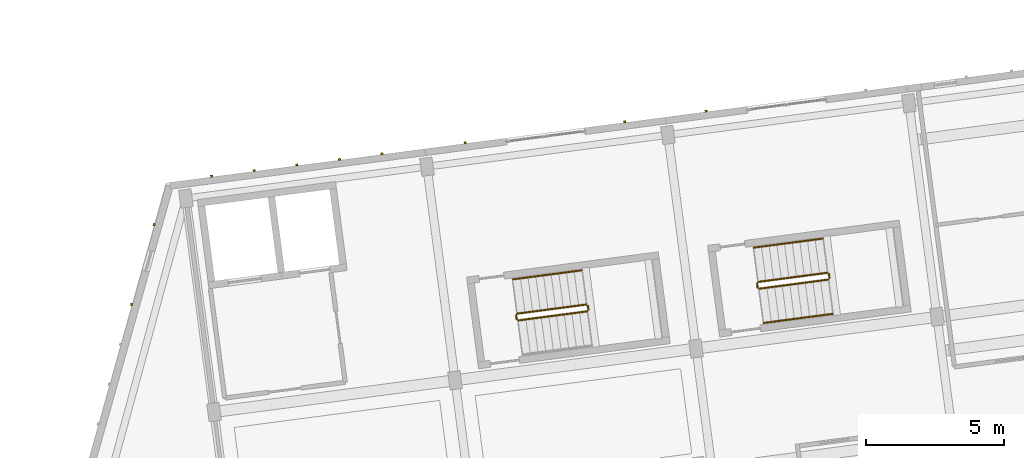
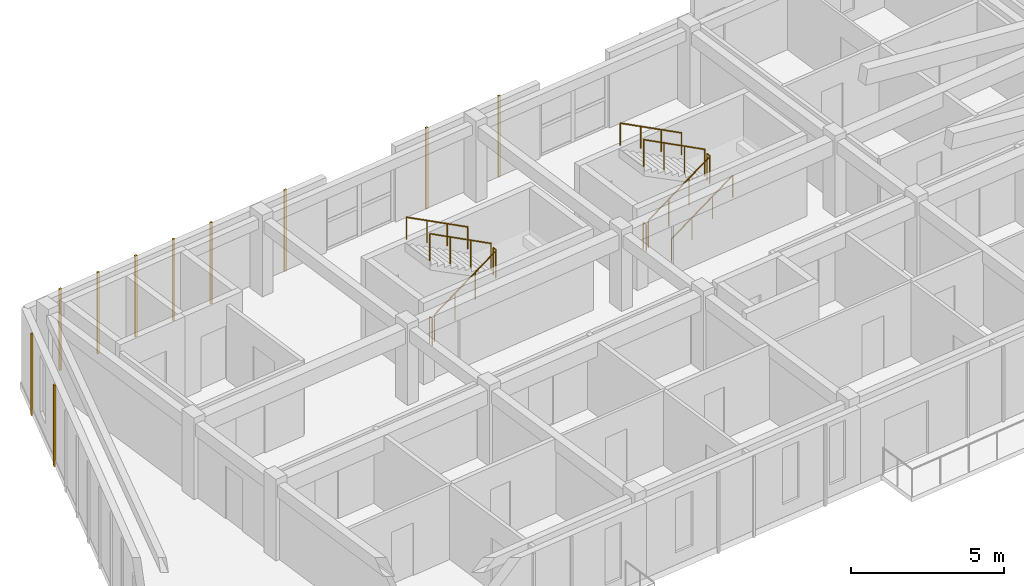
# One storey, part 12 of 16: 11 railings, 10 coverings.
"""IFC4 building model written with IfcOpenShell, lengths in metres."""

from ifc_helpers import new_model, si_unit, direction, frame, origin, origin_2d, place, context, subcontext, project, spatial, rectangle, circle, extrude, material, layer, layer_set, type_object, element, save


model = new_model("IFC4")

# Units and contexts
model_context = context("Model", 3, precision=1e-05, world=origin(), true_north=direction((0.0, 1.0)))
body_context = subcontext(model_context, "Body", "Model", "MODEL_VIEW")
ifc_project = project(units=[si_unit("LENGTHUNIT", "METRE"), si_unit("AREAUNIT", "SQUARE_METRE"), si_unit("VOLUMEUNIT", "CUBIC_METRE"), si_unit("PLANEANGLEUNIT", "RADIAN"), si_unit("MASSUNIT", "GRAM", prefix="KILO")], contexts=[model_context])

# Site, building, storey
site_placement = place(None, origin())
site = spatial("IfcSite", under=ifc_project, at=site_placement, CompositionType="ELEMENT")
building_placement = place(site_placement, origin())
building = spatial("IfcBuilding", under=site, at=building_placement, Name="Kestramere Prow Commons", CompositionType="ELEMENT")
storey_placement = place(building_placement, frame((0.0, 0.0, 40.89990234375)))
storey = spatial("IfcBuildingStorey", under=building, at=storey_placement, Name="L12", CompositionType="ELEMENT", Elevation=40.89990234375)

# Coverings
ifc_material_1 = material(Name="Weathered Zinc-Titanium Standing-Seam Cladding")
ifc_layer = layer(ifc_material_1, 0.074951171875)
ifc_layer_set = layer_set([ifc_layer], Name="Weathered Zinc-Titanium Standing-Seam Cladding")
covering_type = type_object("IfcCoveringType", Name="COV-CLAD-SEAM", PredefinedType="CLADDING", material=ifc_layer_set)
for number, where, z_axis, x_axis, name in (
    (1, (9.521484375, 92.635009765625, -0.25), (0.0, 0.0, 1.0), (0.991444861374, 0.13052619222, 0.0), "EW-A-L12-N-0 Standing-Seam Rib 1"),
    (2, (11.062255859375, 92.837890625, -0.25), (0.0, 0.0, 1.0), (0.991444861374, 0.13052619222, 0.0), "EW-A-L12-N-0 Standing-Seam Rib 2"),
    (3, (12.603271484375, 93.040771484375, -0.25), (0.0, 0.0, 1.0), (0.991444861374, 0.13052619222, 0.0), "EW-A-L12-N-0 Standing-Seam Rib 3"),
    (4, (14.14404296875, 93.243408203125, -0.25), (0.0, 0.0, 1.0), (0.991444861374, 0.13052619222, 0.0), "EW-A-L12-N-0 Standing-Seam Rib 4"),
    (5, (15.684814453125, 93.4462890625, -0.25), (0.0, 0.0, 1.0), (0.991444861374, 0.13052619222, 0.0), "EW-A-L12-N-0 Standing-Seam Rib 5"),
    (6, (18.700439453125, 93.843505859375, -0.25), (0.0, 0.0, 1.0), (0.991444861374, 0.13052619222, 0.0), "EW-A-L12-NP-1-L Standing-Seam Rib 1"),
    (7, (24.4755859375, 94.603759765625, -0.25), (0.0, 0.0, 1.0), (0.991444861374, 0.13052619222, 0.0), "EW-A-L12-NP-1-R Standing-Seam Rib 1"),
    (8, (27.42529296875, 94.991943359375, -0.25), (0.0, 0.0, 1.0), (0.991444861374, 0.13052619222, 0.0), "EW-A-L12-NP-2-L Standing-Seam Rib 1"),
    (9, (6.623291015625, 87.991943359375, -0.25), (0.0, 0.0, 1.0), (0.271159911526, 0.962534312314, 0.0), "EW-A-L12-PRW-N Standing-Seam Rib 10"),
    (10, (7.437255859375, 90.880615234375, -0.25), (0.0, 0.0, 1.0), (0.271159911526, 0.962534312314, 0.0), "EW-A-L12-PRW-N Standing-Seam Rib 12"),
):
    element("IfcCovering", number, at=place(storey_placement, frame(where, z_axis=z_axis, x_axis=x_axis)), inside=storey, type_object=covering_type, Name=name, PredefinedType="CLADDING", context=body_context, shape_type="SweptSolid", body=[
        extrude(rectangle(XDim=0.0849609375, YDim=0.06494140625, at=origin_2d()), origin(), (0.0, 0.0, 1.0), 3.25),
    ])

# Railings
ifc_material_2 = material(Name="Galvanised Steel S275JR", Category="steel")
railing_type_1 = type_object("IfcRailingType", Name="RL-ST-GR-1100", PredefinedType="GUARDRAIL", material=ifc_material_2)
railing_1_placement = place(storey_placement, frame((20.618896484375, 87.411376953125, 0.16259765625)))
element("IfcRailing", 11, at=railing_1_placement, inside=storey, type_object=railing_type_1, Name="L12 ST-A1 stair guard 1", PredefinedType="GUARDRAIL", context=body_context, shape_type="SweptSolid", body=[
    extrude(circle(Radius=0.02392578125, at=origin_2d()), frame((0.0, 0.0, 1.076171875), z_axis=(0.85752303711, 0.112867259233, 0.501911568525), x_axis=(-0.130494608992, 0.991449018873, 0.0)), (0.0, 0.0, 1.0), 2.91357421875),
    extrude(circle(Radius=0.02099609375, at=origin_2d()), origin(), (0.0, 0.0, 1.0), 1.052001953125),
    extrude(circle(Radius=0.02099609375, at=origin_2d()), frame((0.832763671875, 0.109619140625, 0.487548828125)), (0.0, 0.0, 1.0), 1.052001953125),
    extrude(circle(Radius=0.02099609375, at=origin_2d()), frame((1.665771484375, 0.21923828125, 0.974853515625)), (0.0, 0.0, 1.0), 1.052001953125),
    extrude(circle(Radius=0.02099609375, at=origin_2d()), frame((2.49853515625, 0.328857421875, 1.46240234375)), (0.0, 0.0, 1.0), 1.052001953125),
])
railing_2_placement = place(storey_placement, frame((23.160400390625, 87.79638671875, 1.625)))
element("IfcRailing", 12, at=railing_2_placement, inside=storey, type_object=railing_type_1, Name="L12 ST-A1 stair guard 2", PredefinedType="GUARDRAIL", context=body_context, shape_type="SweptSolid", body=[
    extrude(circle(Radius=0.02392578125, at=origin_2d()), frame((0.0, 0.0, 1.076171875), z_axis=(-0.130243938252, 0.991481979941, 0.0), x_axis=(-0.991481979941, -0.130243938252, 0.0)), (0.0, 0.0, 1.0), 0.14990234375),
    extrude(circle(Radius=0.02099609375, at=origin_2d()), origin(), (0.0, 0.0, 1.0), 1.052001953125),
    extrude(circle(Radius=0.02099609375, at=origin_2d()), frame((-0.01953125, 0.148681640625, 0.0)), (0.0, 0.0, 1.0), 1.052001953125),
])
railing_3_placement = place(storey_placement, frame((23.084716796875, 87.988037109375, 1.78759765625)))
element("IfcRailing", 13, at=railing_3_placement, inside=storey, type_object=railing_type_1, Name="L12 ST-A1 stair guard 3", PredefinedType="GUARDRAIL", context=body_context, shape_type="SweptSolid", body=[
    extrude(circle(Radius=0.02392578125, at=origin_2d()), frame((0.0, 0.0, 1.076171875), z_axis=(-0.857500858922, -0.112875369585, 0.501947634608), x_axis=(0.130507144135, -0.991447368916, 0.0)), (0.0, 0.0, 1.0), 2.91357421875),
    extrude(circle(Radius=0.02099609375, at=origin_2d()), origin(), (0.0, 0.0, 1.0), 1.052001953125),
    extrude(circle(Radius=0.02099609375, at=origin_2d()), frame((-0.832763671875, -0.109619140625, 0.487548828125)), (0.0, 0.0, 1.0), 1.052001953125),
    extrude(circle(Radius=0.02099609375, at=origin_2d()), frame((-1.66552734375, -0.21923828125, 0.974853515625)), (0.0, 0.0, 1.0), 1.052001953125),
    extrude(circle(Radius=0.02099609375, at=origin_2d()), frame((-2.498291015625, -0.328857421875, 1.46240234375)), (0.0, 0.0, 1.0), 1.052001953125),
])
railing_4_placement = place(storey_placement, frame((20.56298828125, 87.454345703125, 0.0)))
element("IfcRailing", 14, at=railing_4_placement, inside=storey, type_object=railing_type_1, Name="L12 ST-A1 stair guard 4", PredefinedType="GUARDRAIL", context=body_context, shape_type="SweptSolid", body=[
    extrude(circle(Radius=0.02392578125, at=origin_2d()), frame((0.0, 0.0, 1.076171875), z_axis=(-0.131843859112, 0.99127049629, 0.0), x_axis=(-0.99127049629, -0.131843859112, 0.0)), (0.0, 0.0, 1.0), 0.14990234375),
    extrude(circle(Radius=0.02099609375, at=origin_2d()), origin(), (0.0, 0.0, 1.0), 1.052001953125),
    extrude(circle(Radius=0.02099609375, at=origin_2d()), frame((-0.019775390625, 0.148681640625, 0.0)), (0.0, 0.0, 1.0), 1.052001953125),
])
railing_5_placement = place(storey_placement, frame((29.34375, 88.559814453125, 0.16259765625)))
element("IfcRailing", 15, at=railing_5_placement, inside=storey, type_object=railing_type_1, Name="L12 ST-A2 stair guard 1", PredefinedType="GUARDRAIL", context=body_context, shape_type="SweptSolid", body=[
    extrude(circle(Radius=0.02392578125, at=origin_2d()), frame((0.0, 0.0, 1.076171875), z_axis=(0.857492745196, 0.112958098361, 0.501942885148), x_axis=(-0.130602379397, 0.991434828164, 0.0)), (0.0, 0.0, 1.0), 2.91357421875),
    extrude(circle(Radius=0.02099609375, at=origin_2d()), origin(), (0.0, 0.0, 1.0), 1.052001953125),
    extrude(circle(Radius=0.02099609375, at=origin_2d()), frame((0.832763671875, 0.109619140625, 0.487548828125)), (0.0, 0.0, 1.0), 1.052001953125),
    extrude(circle(Radius=0.02099609375, at=origin_2d()), frame((1.66552734375, 0.219482421875, 0.974853515625)), (0.0, 0.0, 1.0), 1.052001953125),
    extrude(circle(Radius=0.02099609375, at=origin_2d()), frame((2.498291015625, 0.3291015625, 1.46240234375)), (0.0, 0.0, 1.0), 1.052001953125),
])
railing_6_placement = place(storey_placement, frame((31.88525390625, 88.94482421875, 1.625)))
element("IfcRailing", 16, at=railing_6_placement, inside=storey, type_object=railing_type_1, Name="L12 ST-A2 stair guard 2", PredefinedType="GUARDRAIL", context=body_context, shape_type="SweptSolid", body=[
    extrude(circle(Radius=0.02392578125, at=origin_2d()), frame((0.0, 0.0, 1.076171875), z_axis=(-0.1300340368, 0.991509530601, 0.0), x_axis=(-0.991509530601, -0.1300340368, 0.0)), (0.0, 0.0, 1.0), 0.150146484375),
    extrude(circle(Radius=0.02099609375, at=origin_2d()), origin(), (0.0, 0.0, 1.0), 1.052001953125),
    extrude(circle(Radius=0.02099609375, at=origin_2d()), frame((-0.01953125, 0.14892578125, 0.0)), (0.0, 0.0, 1.0), 1.052001953125),
])
railing_7_placement = place(storey_placement, frame((31.8095703125, 89.13671875, 1.78759765625)))
element("IfcRailing", 17, at=railing_7_placement, inside=storey, type_object=railing_type_1, Name="L12 ST-A2 stair guard 3", PredefinedType="GUARDRAIL", context=body_context, shape_type="SweptSolid", body=[
    extrude(circle(Radius=0.02392578125, at=origin_2d()), frame((0.0, 0.0, 1.076171875), z_axis=(-0.85752303711, -0.112867259233, 0.501911568525), x_axis=(0.130494608992, -0.991449018873, 0.0)), (0.0, 0.0, 1.0), 2.91357421875),
    extrude(circle(Radius=0.02099609375, at=origin_2d()), origin(), (0.0, 0.0, 1.0), 1.052001953125),
    extrude(circle(Radius=0.02099609375, at=origin_2d()), frame((-0.832763671875, -0.109619140625, 0.487548828125)), (0.0, 0.0, 1.0), 1.052001953125),
    extrude(circle(Radius=0.02099609375, at=origin_2d()), frame((-1.665771484375, -0.21923828125, 0.974853515625)), (0.0, 0.0, 1.0), 1.052001953125),
    extrude(circle(Radius=0.02099609375, at=origin_2d()), frame((-2.49853515625, -0.328857421875, 1.46240234375)), (0.0, 0.0, 1.0), 1.052001953125),
])
railing_8_placement = place(storey_placement, frame((29.28759765625, 88.60302734375, 0.0)))
element("IfcRailing", 18, at=railing_8_placement, inside=storey, type_object=railing_type_1, Name="L12 ST-A2 stair guard 4", PredefinedType="GUARDRAIL", context=body_context, shape_type="SweptSolid", body=[
    extrude(circle(Radius=0.02392578125, at=origin_2d()), frame((0.0, 0.0, 1.076171875), z_axis=(-0.130243938252, 0.991481979941, 0.0), x_axis=(-0.991481979941, -0.130243938252, 0.0)), (0.0, 0.0, 1.0), 0.14990234375),
    extrude(circle(Radius=0.02099609375, at=origin_2d()), origin(), (0.0, 0.0, 1.0), 1.052001953125),
    extrude(circle(Radius=0.02099609375, at=origin_2d()), frame((-0.01953125, 0.148681640625, 0.0)), (0.0, 0.0, 1.0), 1.052001953125),
])
ifc_material_3 = material(Name="Stainless Steel 304", Category="steel")
railing_type_2 = type_object("IfcRailingType", Name="RL-ST-HR-900", PredefinedType="HANDRAIL", material=ifc_material_3)
railing_9_placement = place(storey_placement, frame((22.921630859375, 89.227294921875, 1.9501953125)))
element("IfcRailing", 19, at=railing_9_placement, inside=storey, type_object=railing_type_2, Name="L12 ST-A1 stair handrail 2", PredefinedType="HANDRAIL", context=body_context, shape_type="SweptSolid", body=[
    extrude(circle(Radius=0.02392578125, at=origin_2d()), frame((0.0, 0.0, 0.8759765625), z_axis=(-0.85752303711, -0.112867259233, 0.501911568525), x_axis=(0.130494608992, -0.991449018873, 0.0)), (0.0, 0.0, 1.0), 2.91357421875),
    extrude(circle(Radius=0.02099609375, at=origin_2d()), origin(), (0.0, 0.0, 1.0), 0.851806640625),
    extrude(circle(Radius=0.02099609375, at=origin_2d()), frame((-0.832763671875, -0.109619140625, 0.487548828125)), (0.0, 0.0, 1.0), 0.851806640625),
    extrude(circle(Radius=0.02099609375, at=origin_2d()), frame((-1.665771484375, -0.21923828125, 0.974853515625)), (0.0, 0.0, 1.0), 0.851806640625),
    extrude(circle(Radius=0.02099609375, at=origin_2d()), frame((-2.49853515625, -0.328857421875, 1.46240234375)), (0.0, 0.0, 1.0), 0.851806640625),
])
railing_10_placement = place(storey_placement, frame((29.5068359375, 87.320556640625, 0.3251953125)))
element("IfcRailing", 20, at=railing_10_placement, inside=storey, type_object=railing_type_2, Name="L12 ST-A2 stair handrail 1", PredefinedType="HANDRAIL", context=body_context, shape_type="SweptSolid", body=[
    extrude(circle(Radius=0.02392578125, at=origin_2d()), frame((0.0, 0.0, 0.8759765625), z_axis=(0.85752303711, 0.112867259233, 0.501911568525), x_axis=(-0.130494608992, 0.991449018873, 0.0)), (0.0, 0.0, 1.0), 2.91357421875),
    extrude(circle(Radius=0.02099609375, at=origin_2d()), origin(), (0.0, 0.0, 1.0), 0.851806640625),
    extrude(circle(Radius=0.02099609375, at=origin_2d()), frame((0.832763671875, 0.109619140625, 0.487548828125)), (0.0, 0.0, 1.0), 0.851806640625),
    extrude(circle(Radius=0.02099609375, at=origin_2d()), frame((1.665771484375, 0.21923828125, 0.974853515625)), (0.0, 0.0, 1.0), 0.851806640625),
    extrude(circle(Radius=0.02099609375, at=origin_2d()), frame((2.49853515625, 0.328857421875, 1.46240234375)), (0.0, 0.0, 1.0), 0.851806640625),
])
railing_11_placement = place(storey_placement, frame((31.646484375, 90.3759765625, 1.9501953125)))
element("IfcRailing", 21, at=railing_11_placement, inside=storey, type_object=railing_type_2, Name="L12 ST-A2 stair handrail 2", PredefinedType="HANDRAIL", context=body_context, shape_type="SweptSolid", body=[
    extrude(circle(Radius=0.02392578125, at=origin_2d()), frame((0.0, 0.0, 0.8759765625), z_axis=(-0.85752303711, -0.112867259233, 0.501911568525), x_axis=(0.130494608992, -0.991449018873, 0.0)), (0.0, 0.0, 1.0), 2.91357421875),
    extrude(circle(Radius=0.02099609375, at=origin_2d()), origin(), (0.0, 0.0, 1.0), 0.851806640625),
    extrude(circle(Radius=0.02099609375, at=origin_2d()), frame((-0.832763671875, -0.109619140625, 0.487548828125)), (0.0, 0.0, 1.0), 0.851806640625),
    extrude(circle(Radius=0.02099609375, at=origin_2d()), frame((-1.665771484375, -0.21923828125, 0.974853515625)), (0.0, 0.0, 1.0), 0.851806640625),
    extrude(circle(Radius=0.02099609375, at=origin_2d()), frame((-2.49853515625, -0.328857421875, 1.46240234375)), (0.0, 0.0, 1.0), 0.851806640625),
])

save(model, "model.ifc")
